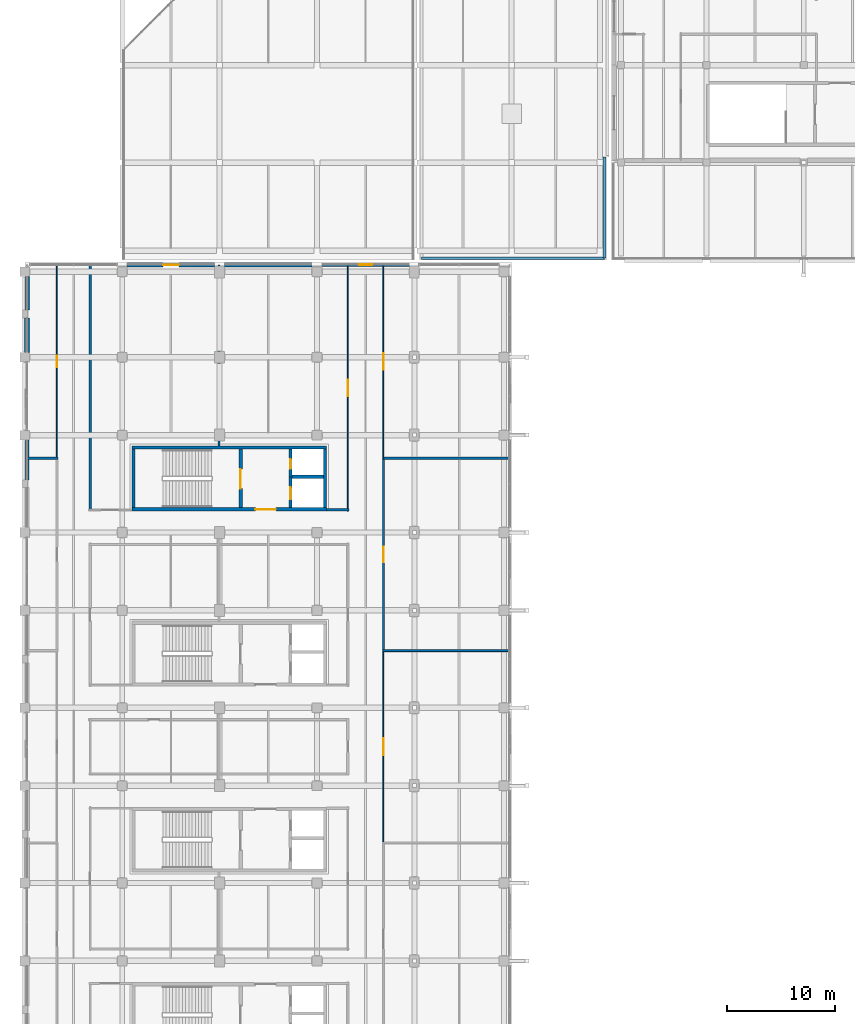
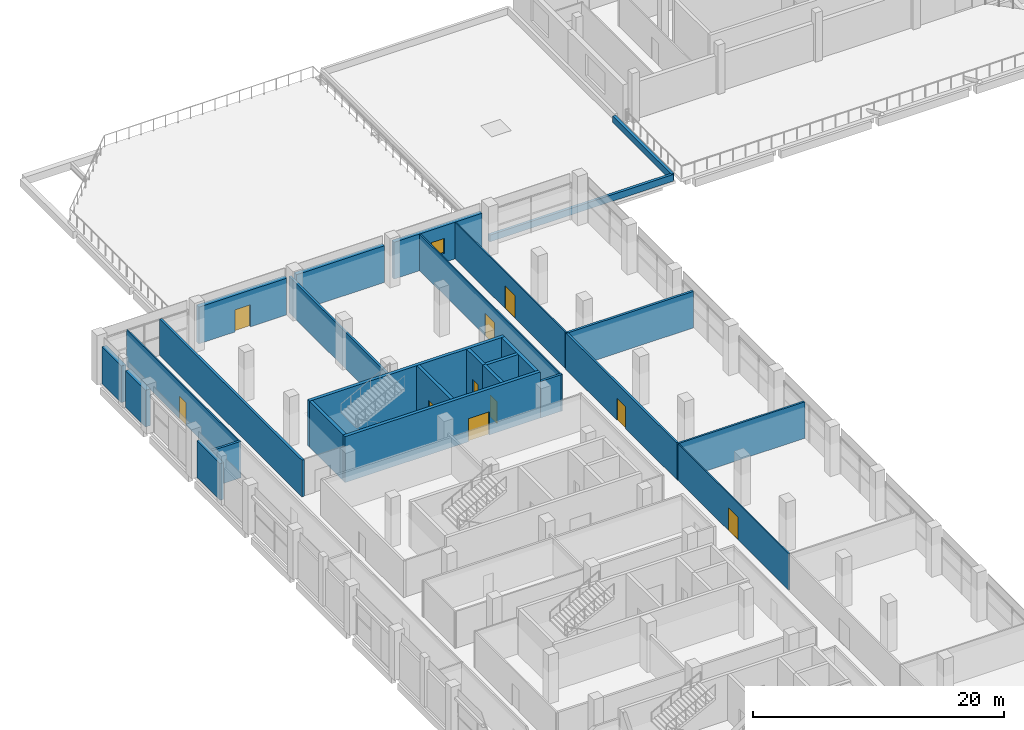
# One storey, part 51 of 82: 27 walls, 10 doors, 1 window, 11 openings.
"""IFC4 building model written with IfcOpenShell, lengths in metres."""

import ifcopenshell
import ifcopenshell.guid

model = None  # the IFC model being written
_history = None  # IfcOwnerHistory: only IFC2X3 demands one
_inside = {}  # id of a spatial element -> (the spatial element, [elements in it])
_under = {}  # id of a project, library or spatial element -> (it, [spatial elements below it])
_declared = {}  # id of a project -> (the project, [libraries it declares])
_typed = {}  # id of a type object -> (the type object, [elements of that type])
_made_of = {}  # id of a material, layer set ... -> (it, [elements and type objects made of it])


def new_model(schema):
    """Start an empty IFC model of exactly this schema.

    Asked for "IFC4X3", IfcOpenShell would pick the latest addendum, in which some entities
    have other attributes; the version numbers below select the first issue.
    IFC2X3 requires an IfcOwnerHistory on every rooted entity: one is made here for all.
    """
    global model, _history
    if schema == "IFC4X3":
        model = ifcopenshell.file(schema_version=(4, 3, 0, 0))
    else:
        model = ifcopenshell.file(schema=schema)
    _inside.clear()
    _under.clear()
    _declared.clear()
    _typed.clear()
    _made_of.clear()
    _history = None
    if model.schema == "IFC2X3":
        org = make("IfcOrganization", Name="unknown")
        user = make(
            "IfcPersonAndOrganization",
            ThePerson=make("IfcPerson", FamilyName="unknown"),
            TheOrganization=org,
        )
        app = make(
            "IfcApplication",
            ApplicationDeveloper=org,
            Version="unknown",
            ApplicationFullName="unknown",
            ApplicationIdentifier="unknown",
        )
        _history = make(
            "IfcOwnerHistory",
            OwningUser=user,
            OwningApplication=app,
            ChangeAction="ADDED",
            CreationDate=0,
        )
    return model


def make(cls, **values):
    """One entity of the class cls with the attributes given. An attribute that is None is left unset."""
    return model.create_entity(
        cls, **{name: value for name, value in values.items() if value is not None}
    )


def rooted(cls, **values):
    """An entity with a GlobalId (a new one), such as an element, a storey or a relation."""
    return make(cls, GlobalId=ifcopenshell.guid.new(), OwnerHistory=_history, **values)


def si_unit(unit_type, name, prefix=None):
    """IfcSIUnit, for example si_unit("LENGTHUNIT", "METRE", prefix="MILLI")."""
    return make("IfcSIUnit", UnitType=unit_type, Prefix=prefix, Name=name)


def assignment(units):
    """IfcUnitAssignment: the units of a project."""
    return None if units is None else make("IfcUnitAssignment", Units=units)


def point(xyz):
    """IfcCartesianPoint."""
    return None if xyz is None else make("IfcCartesianPoint", Coordinates=xyz)


def direction(xyz):
    """IfcDirection."""
    return None if xyz is None else make("IfcDirection", DirectionRatios=xyz)


def frame(location, z_axis=None, x_axis=None):
    """IfcAxis2Placement3D, a coordinate frame: its origin and axes. An axis left out is left unset."""
    return make(
        "IfcAxis2Placement3D",
        Location=point(location),
        Axis=direction(z_axis),
        RefDirection=direction(x_axis),
    )


def frame_2d(location, x_axis=None):
    """IfcAxis2Placement2D, a coordinate frame in the plane: its origin and x axis."""
    return make(
        "IfcAxis2Placement2D", Location=point(location), RefDirection=direction(x_axis)
    )


def origin():
    """The frame at (0, 0, 0) with its axes left unset."""
    return frame((0.0, 0.0, 0.0))


def place(relative_to, where):
    """IfcLocalPlacement: puts the frame where relative to a parent placement (None: the world)."""
    return make(
        "IfcLocalPlacement", PlacementRelTo=relative_to, RelativePlacement=where
    )


def context(
    kind, dimensions, precision=None, world=None, true_north=None, identifier=None
):
    """IfcGeometricRepresentationContext, for example the 3D "Model" context."""
    return make(
        "IfcGeometricRepresentationContext",
        ContextIdentifier=identifier,
        ContextType=kind,
        CoordinateSpaceDimension=dimensions,
        Precision=precision,
        WorldCoordinateSystem=world,
        TrueNorth=true_north,
    )


def subcontext(parent, identifier, kind, view, scale=None):
    """IfcGeometricRepresentationSubContext, for example "Body" below "Model"."""
    return make(
        "IfcGeometricRepresentationSubContext",
        ContextIdentifier=identifier,
        ContextType=kind,
        ParentContext=parent,
        TargetScale=scale,
        TargetView=view,
    )


def project(units=None, contexts=None):
    """IfcProject with its units and contexts."""
    return rooted(
        "IfcProject",
        Name="project",
        RepresentationContexts=contexts,
        UnitsInContext=assignment(units),
    )


def spatial(cls, under=None, at=None, **own):
    """A site, building, storey or space (cls), placed at a placement, below another one or the project."""
    s = rooted(cls, ObjectPlacement=at, **own)
    if under is not None:
        _under.setdefault(under.id(), (under, []))[1].append(s)
    return s


def profile(cls, at=None, kind="AREA", **sizes):
    """A parametric profile (cls). Its sizes go by their IFC names, for example OverallWidth=200.0."""
    return make(cls, ProfileType=kind, Position=at, **sizes)


def rectangle(**sizes):
    """IfcRectangleProfileDef."""
    return profile("IfcRectangleProfileDef", **sizes)


def extrude(swept, where, along, depth):
    """IfcExtrudedAreaSolid: the profile swept, set in the frame where, extruded along a direction by depth."""
    return make(
        "IfcExtrudedAreaSolid",
        SweptArea=swept,
        Position=where,
        ExtrudedDirection=direction(along),
        Depth=depth,
    )


def shape(context_of_items, identifier, shape_type, items):
    """IfcShapeRepresentation: the items that make up one representation, for example the "Body"."""
    return make(
        "IfcShapeRepresentation",
        ContextOfItems=context_of_items,
        RepresentationIdentifier=identifier,
        RepresentationType=shape_type,
        Items=items,
    )


def material(Name=None, Category=None):
    """IfcMaterial."""
    return make("IfcMaterial", Name=Name, Category=Category)


def layer(
    of_material, thickness, ventilated=None, Name=None, Category=None, Priority=None
):
    """IfcMaterialLayer: one layer of a wall or slab, of a material (None: an air gap)."""
    return make(
        "IfcMaterialLayer",
        Material=of_material,
        LayerThickness=thickness,
        IsVentilated=ventilated,
        Name=Name,
        Category=Category,
        Priority=Priority,
    )


def layer_set(layers, Name=None):
    """IfcMaterialLayerSet."""
    return make("IfcMaterialLayerSet", MaterialLayers=layers, LayerSetName=Name)


def made_of(thing, what):
    """Note that an element or type object is made of a material, layer set ...; save() writes the relation."""
    if what is not None:
        _made_of.setdefault(what.id(), (what, []))[1].append(thing)
    return thing


def type_object(cls, material=None, **own):
    """A type object (cls), such as IfcWallType, which elements share."""
    return made_of(rooted(cls, **own), material)


def element(
    cls,
    number,
    at=None,
    inside=None,
    cuts=None,
    type_object=None,
    material=None,
    context=None,
    identifier="Body",
    shape_type=None,
    held_by="IfcProductDefinitionShape",
    body=None,
    shapes=None,
    **own,
):
    """One element of the class cls, such as IfcWall. Its Tag is "e" and its number.

    at: its placement. inside: the storey or other place that contains it. cuts: it is an
    opening in that element (IfcRelVoidsElement). A single representation is given by context,
    identifier, shape_type and body (its items); several are given by shapes. held_by: the class
    of the entity that holds the representations. save() writes the other relations.
    """
    e = rooted(cls, Tag="e%d" % number, ObjectPlacement=at, **own)
    if body is not None:
        shapes = [shape(context, identifier, shape_type, body)]
    if shapes is not None:
        e.Representation = make(held_by, Representations=shapes)
    if inside is not None:
        _inside.setdefault(inside.id(), (inside, []))[1].append(e)
    if cuts is not None:
        rooted(
            "IfcRelVoidsElement", RelatingBuildingElement=cuts, RelatedOpeningElement=e
        )
    if type_object is not None:
        _typed.setdefault(type_object.id(), (type_object, []))[1].append(e)
    return made_of(e, material)


def fill(opening, filler):
    """IfcRelFillsElement: the door or window that sits in an opening."""
    return rooted(
        "IfcRelFillsElement",
        RelatingOpeningElement=opening,
        RelatedBuildingElement=filler,
    )


def aggregate(whole, parts):
    """IfcRelAggregates: a whole, such as a stair, and the parts it consists of."""
    return rooted("IfcRelAggregates", RelatingObject=whole, RelatedObjects=parts)


def save(model, path):
    """Write the relations noted so far, then the file.

    IfcRelAggregates (storeys below a building ...), IfcRelContainedInSpatialStructure (elements
    in a storey), IfcRelDefinesByType, IfcRelAssociatesMaterial and IfcRelDeclares: one each for
    every whole, place, type object, material and project.
    """
    for whole, parts in _under.values():
        aggregate(whole, parts)
    for where, things in _inside.values():
        rooted(
            "IfcRelContainedInSpatialStructure",
            RelatedElements=things,
            RelatingStructure=where,
        )
    for kind, things in _typed.values():
        rooted("IfcRelDefinesByType", RelatedObjects=things, RelatingType=kind)
    for what, things in _made_of.values():
        rooted("IfcRelAssociatesMaterial", RelatedObjects=things, RelatingMaterial=what)
    for by, libraries in _declared.values():
        rooted("IfcRelDeclares", RelatingContext=by, RelatedDefinitions=libraries)
    model.write(path)


model = new_model("IFC4")

# Units and contexts
model_context = context("Model", 3, precision=1e-05, world=origin(), true_north=direction((0.0, 1.0)))
body_context = subcontext(model_context, "Body", "Model", "MODEL_VIEW")
ifc_project = project(units=[si_unit("LENGTHUNIT", "METRE"), si_unit("AREAUNIT", "SQUARE_METRE"), si_unit("VOLUMEUNIT", "CUBIC_METRE"), si_unit("PLANEANGLEUNIT", "RADIAN"), si_unit("MASSUNIT", "GRAM", prefix="KILO"), si_unit("THERMODYNAMICTEMPERATUREUNIT", "KELVIN"), si_unit("POWERUNIT", "WATT")], contexts=[model_context])

# Site, building, storey
site_placement = place(None, origin())
site = spatial("IfcSite", under=ifc_project, at=site_placement, CompositionType="ELEMENT")
building_placement = place(site_placement, origin())
building = spatial("IfcBuilding", under=site, at=building_placement, Name="Sindhuravela Promenade Stadium", CompositionType="ELEMENT")
storey_placement = place(building_placement, frame((0.0, 0.0, 14.39990234375)))
storey = spatial("IfcBuildingStorey", under=building, at=storey_placement, Name="L03", CompositionType="ELEMENT", Elevation=14.39990234375)

# Wall
ifc_material_1 = material(Name="Terracotta clay brick masonry (15 MPa)", Category="masonry")
ifc_layer_1 = layer(ifc_material_1, 0.340087890625)
ifc_layer_set_1 = layer_set([ifc_layer_1], Name="Terracotta clay brick masonry (15 MPa)")
wall_type_1 = type_object("IfcWallType", Name="EX-WL-BRK340", PredefinedType="SOLIDWALL", material=ifc_layer_set_1)
wall_1_placement = place(storey_placement, frame((0.199951171875, 105.655029296875, 0.0), z_axis=(0.0, 0.0, 1.0), x_axis=(0.0, 1.0, 0.0)))
element("IfcWall", 1, at=wall_1_placement, inside=storey, type_object=wall_type_1, Name="Exterior masonry wall EW06 WEST L03", PredefinedType="SOLIDWALL", context=body_context, shape_type="SweptSolid", body=[
    extrude(rectangle(XDim=3.68994140625, YDim=0.340087890625, at=frame_2d((1.844970703125, 0.0))), origin(), (0.0, 0.0, 1.0), 3.580078125),
])

# Wall, opening, window
ifc_layer_2 = layer(ifc_material_1, 0.360107421875)
ifc_layer_set_2 = layer_set([ifc_layer_2], Name="Terracotta clay brick masonry (15 MPa)")
wall_type_2 = type_object("IfcWallType", Name="EX-WL-BRK360", PredefinedType="SOLIDWALL", material=ifc_layer_set_2)
wall_2_placement = place(storey_placement, frame((27.455078125, 125.550048828125, 0.0), z_axis=(0.0, 0.0, 1.0), x_axis=(1.0, 0.0, 0.0)))
wall_2 = element("IfcWall", 2, at=wall_2_placement, inside=storey, type_object=wall_type_2, Name="Exterior masonry wall EW05 WEST L03", PredefinedType="SOLIDWALL", context=body_context, shape_type="SweptSolid", body=[
    extrude(rectangle(XDim=8.08984375, YDim=0.360107421875, at=frame_2d((4.044921875, 0.0))), origin(), (0.0, 0.0, 1.0), 3.580078125),
])
opening_1_placement = place(wall_2_placement, frame((3.445068359375, 0.0, 0.89990234375)))
opening_1 = element("IfcOpeningElement", 3, at=opening_1_placement, cuts=wall_2, Name="Opening W02", PredefinedType="OPENING", context=body_context, shape_type="SweptSolid", body=[
    extrude(rectangle(XDim=1.199951171875, YDim=1.449951171875, at=frame_2d((0.60009765625, 0.72509765625))), frame((0.0, 0.18994140625, 0.0), z_axis=(0.0, -1.0, 0.0), x_axis=(1.0, 0.0, 0.0)), (0.0, 0.0, 1.0), 0.380126953125),
])
ifc_material_2 = material(Name="Tempered laminated low-E glass", Category="glass")
window_type = type_object("IfcWindowType", Name="WN-FAC-1200x1450", PartitioningType="SINGLE_PANEL", PredefinedType="WINDOW", material=ifc_material_2)
window_placement = place(opening_1_placement, origin())
window = element("IfcWindow", 4, at=window_placement, inside=storey, type_object=window_type, Name="Window W02 WEST L03", OverallHeight=1.449951171875, OverallWidth=1.199951171875, PartitioningType="SINGLE_PANEL", PredefinedType="WINDOW", context=body_context, shape_type="SweptSolid", body=[
    extrude(rectangle(XDim=1.199951171875, YDim=1.449951171875, at=frame_2d((0.60009765625, 0.72509765625))), frame((0.0, 0.030029296875, 0.0), z_axis=(0.0, -1.0, 0.0), x_axis=(1.0, 0.0, 0.0)), (0.0, 0.0, 1.0), 0.06005859375),
])
fill(opening_1, window)

# Wall
ifc_layer_3 = layer(ifc_material_1, 0.3798828125)
ifc_layer_set_3 = layer_set([ifc_layer_3], Name="Terracotta clay brick masonry (15 MPa)")
wall_type_3 = type_object("IfcWallType", Name="EX-WL-BRK380", PredefinedType="SOLIDWALL", material=ifc_layer_set_3)
wall_3_placement = place(storey_placement, frame((18.455078125, 125.550048828125, 0.0), z_axis=(0.0, 0.0, 1.0), x_axis=(1.0, 0.0, 0.0)))
element("IfcWall", 5, at=wall_3_placement, inside=storey, type_object=wall_type_3, Name="Exterior masonry wall EW04 WEST L03", PredefinedType="SOLIDWALL", context=body_context, shape_type="SweptSolid", body=[
    extrude(rectangle(XDim=8.08984375, YDim=0.3798828125, at=frame_2d((4.044921875, 0.0))), origin(), (0.0, 0.0, 1.0), 3.580078125),
])

# Wall, opening, door
ifc_layer_4 = layer(ifc_material_1, 0.39990234375)
ifc_layer_set_4 = layer_set([ifc_layer_4], Name="Terracotta clay brick masonry (15 MPa)")
wall_type_4 = type_object("IfcWallType", Name="EX-WL-BRK400", PredefinedType="SOLIDWALL", material=ifc_layer_set_4)
wall_4_placement = place(storey_placement, frame((9.455078125, 125.550048828125, 0.0), z_axis=(0.0, 0.0, 1.0), x_axis=(1.0, 0.0, 0.0)))
wall_4 = element("IfcWall", 6, at=wall_4_placement, inside=storey, type_object=wall_type_4, Name="Exterior masonry wall EW03 WEST L03", PredefinedType="SOLIDWALL", context=body_context, shape_type="SweptSolid", body=[
    extrude(rectangle(XDim=8.08984375, YDim=0.39990234375, at=frame_2d((4.044921875, 0.0))), origin(), (0.0, 0.0, 1.0), 3.580078125),
])
opening_2_placement = place(wall_4_placement, frame((3.320068359375, 0.0, 0.0)))
opening_2 = element("IfcOpeningElement", 7, at=opening_2_placement, cuts=wall_4, Name="Opening TD04", PredefinedType="OPENING", context=body_context, shape_type="SweptSolid", body=[
    extrude(rectangle(XDim=1.449951171875, YDim=2.14990234375, at=frame_2d((0.72509765625, 1.074951171875))), frame((0.0, 0.2099609375, 0.0), z_axis=(0.0, -1.0, 0.0), x_axis=(1.0, 0.0, 0.0)), (0.0, 0.0, 1.0), 0.419921875),
])
ifc_material_3 = material(Name="Anodised architectural aluminium 6063-T6", Category="aluminium")
door_type_1 = type_object("IfcDoorType", Name="DR-TER-1450x2150", OperationType="DOUBLE_DOOR_SINGLE_SWING", PredefinedType="DOOR", material=ifc_material_3)
door_1_placement = place(opening_2_placement, origin())
door_1 = element("IfcDoor", 8, at=door_1_placement, inside=storey, type_object=door_type_1, Name="Terrace access door NW Gate Pavilion Planted Roof Garden", OperationType="DOUBLE_DOOR_SINGLE_SWING", OverallHeight=2.14990234375, OverallWidth=1.449951171875, PredefinedType="DOOR", context=body_context, shape_type="SweptSolid", body=[
    extrude(rectangle(XDim=1.449951171875, YDim=2.14990234375, at=frame_2d((0.72509765625, 1.074951171875))), frame((0.0, 0.02490234375, 0.0), z_axis=(0.0, -1.0, 0.0), x_axis=(1.0, 0.0, 0.0)), (0.0, 0.0, 1.0), 0.050048828125),
])
fill(opening_2, door_1)

# Walls
ifc_layer_5 = layer(ifc_material_1, 0.419921875)
ifc_layer_set_5 = layer_set([ifc_layer_5], Name="Terracotta clay brick masonry (15 MPa)")
wall_type_5 = type_object("IfcWallType", Name="EX-WL-BRK420", PredefinedType="SOLIDWALL", material=ifc_layer_set_5)
wall_5_placement = place(storey_placement, frame((0.199951171875, 121.35498046875, 0.0), z_axis=(0.0, 0.0, 1.0), x_axis=(0.0, 1.0, 0.0)))
element("IfcWall", 9, at=wall_5_placement, inside=storey, type_object=wall_type_5, Name="Exterior masonry wall EW02 WEST L03", PredefinedType="SOLIDWALL", context=body_context, shape_type="SweptSolid", body=[
    extrude(rectangle(XDim=3.090087890625, YDim=0.419921875, at=frame_2d((1.544921875, 0.0))), origin(), (0.0, 0.0, 1.0), 3.580078125),
])
ifc_layer_6 = layer(ifc_material_1, 0.4599609375)
ifc_layer_set_6 = layer_set([ifc_layer_6], Name="Terracotta clay brick masonry (15 MPa)")
wall_type_6 = type_object("IfcWallType", Name="EX-WL-BRK460", PredefinedType="SOLIDWALL", material=ifc_layer_set_6)
wall_6_placement = place(storey_placement, frame((0.199951171875, 117.455078125, 0.0), z_axis=(0.0, 0.0, 1.0), x_axis=(0.0, 1.0, 0.0)))
element("IfcWall", 10, at=wall_6_placement, inside=storey, type_object=wall_type_6, Name="Exterior masonry wall EW01 WEST L03", PredefinedType="SOLIDWALL", context=body_context, shape_type="SweptSolid", body=[
    extrude(rectangle(XDim=3.18994140625, YDim=0.4599609375, at=frame_2d((1.594970703125, 0.0))), origin(), (0.0, 0.0, 1.0), 3.580078125),
])
ifc_material_4 = material(Name="Dholpur sandstone ashlar (45 MPa)", Category="masonry")
ifc_layer_7 = layer(ifc_material_4, 0.25)
ifc_layer_set_7 = layer_set([ifc_layer_7], Name="Dholpur sandstone ashlar (45 MPa)")
wall_type_7 = type_object("IfcWallType", Name="EX-WL-PAR250", PredefinedType="PARAPET", material=ifc_layer_set_7)
wall_7_placement = place(storey_placement, frame((53.590087890625, 126.159912109375, 0.0), z_axis=(0.0, 0.0, 1.0), x_axis=(-1.0, 0.0, 0.0)))
element("IfcWall", 11, at=wall_7_placement, inside=storey, type_object=wall_type_7, Name="Maintenance roof parapet Pavilion NW 27", PredefinedType="PARAPET", context=body_context, shape_type="SweptSolid", body=[
    extrude(rectangle(XDim=16.93017578125, YDim=0.25, at=frame_2d((8.465087890625, 0.0))), origin(), (0.0, 0.0, 1.0), 0.650146484375),
])
ifc_layer_8 = layer(ifc_material_1, 0.27001953125)
ifc_layer_set_8 = layer_set([ifc_layer_8], Name="Terracotta clay brick masonry (15 MPa)")
wall_type_8 = type_object("IfcWallType", Name="EX-WL-PAR270", PredefinedType="PARAPET", material=ifc_layer_set_8)
wall_8_placement = place(storey_placement, frame((53.590087890625, 135.5, 0.0), z_axis=(0.0, 0.0, 1.0), x_axis=(0.0, -1.0, 0.0)))
element("IfcWall", 12, at=wall_8_placement, inside=storey, type_object=wall_type_8, Name="Maintenance roof parapet Pavilion NW 26", PredefinedType="PARAPET", context=body_context, shape_type="SweptSolid", body=[
    extrude(rectangle(XDim=9.340087890625, YDim=0.27001953125, at=frame_2d((4.669921875, 0.0))), origin(), (0.0, 0.0, 1.0), 0.650146484375),
])

# Wall, opening, door
ifc_material_5 = material(Name="Fire-rated gypsum partition board", Category="gypsum")
ifc_layer_9 = layer(ifc_material_5, 0.110107421875)
ifc_layer_set_9 = layer_set([ifc_layer_9], Name="Fire-rated gypsum partition board")
wall_type_9 = type_object("IfcWallType", Name="IN-WL-PAR110", PredefinedType="PARTITIONING", material=ifc_layer_set_9)
wall_9_placement = place(storey_placement, frame((29.860107421875, 102.77001953125, 0.0), z_axis=(0.0, 0.0, 1.0), x_axis=(0.0, 1.0, 0.0)))
wall_9 = element("IfcWall", 13, at=wall_9_placement, inside=storey, type_object=wall_type_9, Name="Corridor partition IW06 Executive Hospitality Suite W01", PredefinedType="PARTITIONING", context=body_context, shape_type="SweptSolid", body=[
    extrude(rectangle(XDim=22.780029296875, YDim=0.110107421875, at=frame_2d((11.39013671875, 0.0))), origin(), (0.0, 0.0, 1.0), 3.56005859375),
])
opening_3_placement = place(wall_9_placement, frame((10.614990234375, 0.0, 0.0)))
opening_3 = element("IfcOpeningElement", 14, at=opening_3_placement, cuts=wall_9, Name="Opening ID02", PredefinedType="OPENING", context=body_context, shape_type="SweptSolid", body=[
    extrude(rectangle(XDim=1.550048828125, YDim=2.199951171875, at=frame_2d((0.77490234375, 1.10009765625))), frame((0.0, 0.06494140625, 0.0), z_axis=(0.0, -1.0, 0.0), x_axis=(1.0, 0.0, 0.0)), (0.0, 0.0, 1.0), 0.130126953125),
])
ifc_material_6 = material(Name="Architectural teak timber leaf", Category="wood")
door_type_2 = type_object("IfcDoorType", Name="DR-INT-1550x2200", OperationType="DOUBLE_DOOR_SINGLE_SWING", PredefinedType="DOOR", material=ifc_material_6)
door_2_placement = place(opening_3_placement, origin())
door_2 = element("IfcDoor", 15, at=door_2_placement, inside=storey, type_object=door_type_2, Name="Executive Hospitality Suite W01 door", OperationType="DOUBLE_DOOR_SINGLE_SWING", OverallHeight=2.199951171875, OverallWidth=1.550048828125, PredefinedType="DOOR", context=body_context, shape_type="SweptSolid", body=[
    extrude(rectangle(XDim=1.550048828125, YDim=2.199951171875, at=frame_2d((0.77490234375, 1.10009765625))), frame((0.0, 0.02490234375, 0.0), z_axis=(0.0, -1.0, 0.0), x_axis=(1.0, 0.0, 0.0)), (0.0, 0.0, 1.0), 0.050048828125),
])
fill(opening_3, door_2)

wall_10_placement = place(storey_placement, frame((33.139892578125, 125.550048828125, 0.0), z_axis=(0.0, 0.0, 1.0), x_axis=(0.0, -1.0, 0.0)))
wall_10 = element("IfcWall", 16, at=wall_10_placement, inside=storey, type_object=wall_type_9, Name="Corridor partition IW06 Executive Hospitality Suite W04", PredefinedType="PARTITIONING", context=body_context, shape_type="SweptSolid", body=[
    extrude(rectangle(XDim=17.89208984375, YDim=0.110107421875, at=frame_2d((8.946044921875, 0.0))), origin(), (0.0, 0.0, 1.0), 3.56005859375),
])
opening_4_placement = place(wall_10_placement, frame((8.1708984375, 0.0, 0.0)))
opening_4 = element("IfcOpeningElement", 17, at=opening_4_placement, cuts=wall_10, Name="Opening ID02", PredefinedType="OPENING", context=body_context, shape_type="SweptSolid", body=[
    extrude(rectangle(XDim=1.550048828125, YDim=2.199951171875, at=frame_2d((0.77490234375, 1.10009765625))), frame((0.0, 0.06494140625, 0.0), z_axis=(0.0, -1.0, 0.0), x_axis=(1.0, 0.0, 0.0)), (0.0, 0.0, 1.0), 0.130126953125),
])
door_3_placement = place(opening_4_placement, origin())
door_3 = element("IfcDoor", 18, at=door_3_placement, inside=storey, type_object=door_type_2, Name="Executive Hospitality Suite W04 door", OperationType="DOUBLE_DOOR_SINGLE_SWING", OverallHeight=2.199951171875, OverallWidth=1.550048828125, PredefinedType="DOOR", context=body_context, shape_type="SweptSolid", body=[
    extrude(rectangle(XDim=1.550048828125, YDim=2.199951171875, at=frame_2d((0.77490234375, 1.10009765625))), frame((0.0, 0.02490234375, 0.0), z_axis=(0.0, -1.0, 0.0), x_axis=(1.0, 0.0, 0.0)), (0.0, 0.0, 1.0), 0.050048828125),
])
fill(opening_4, door_3)

wall_11_placement = place(storey_placement, frame((33.139892578125, 89.885986328125, 0.0), z_axis=(0.0, 0.0, 1.0), x_axis=(0.0, -1.0, 0.0)))
wall_11 = element("IfcWall", 19, at=wall_11_placement, inside=storey, type_object=wall_type_9, Name="Corridor partition IW06 Hospitality Toilet Suite West L03", PredefinedType="PARTITIONING", context=body_context, shape_type="SweptSolid", body=[
    extrude(rectangle(XDim=17.77197265625, YDim=0.110107421875, at=frame_2d((8.885986328125, 0.0))), origin(), (0.0, 0.0, 1.0), 3.56005859375),
])
opening_5_placement = place(wall_11_placement, frame((8.111083984375, 0.0, 0.0)))
opening_5 = element("IfcOpeningElement", 20, at=opening_5_placement, cuts=wall_11, Name="Opening ID02", PredefinedType="OPENING", context=body_context, shape_type="SweptSolid", body=[
    extrude(rectangle(XDim=1.550048828125, YDim=2.199951171875, at=frame_2d((0.77490234375, 1.10009765625))), frame((0.0, 0.06494140625, 0.0), z_axis=(0.0, -1.0, 0.0), x_axis=(1.0, 0.0, 0.0)), (0.0, 0.0, 1.0), 0.130126953125),
])
door_4_placement = place(opening_5_placement, origin())
door_4 = element("IfcDoor", 21, at=door_4_placement, inside=storey, type_object=door_type_2, Name="Hospitality Toilet Suite West L03 door", OperationType="DOUBLE_DOOR_SINGLE_SWING", OverallHeight=2.199951171875, OverallWidth=1.550048828125, PredefinedType="DOOR", context=body_context, shape_type="SweptSolid", body=[
    extrude(rectangle(XDim=1.550048828125, YDim=2.199951171875, at=frame_2d((0.77490234375, 1.10009765625))), frame((0.0, 0.02490234375, 0.0), z_axis=(0.0, -1.0, 0.0), x_axis=(1.0, 0.0, 0.0)), (0.0, 0.0, 1.0), 0.050048828125),
])
fill(opening_5, door_4)

wall_12_placement = place(storey_placement, frame((2.9599609375, 107.657958984375, 0.0), z_axis=(0.0, 0.0, 1.0), x_axis=(0.0, 1.0, 0.0)))
wall_12 = element("IfcWall", 22, at=wall_12_placement, inside=storey, type_object=wall_type_9, Name="Corridor partition IW06 Hospitality Toilet Suite West L03 9", PredefinedType="PARTITIONING", context=body_context, shape_type="SweptSolid", body=[
    extrude(rectangle(XDim=17.89208984375, YDim=0.110107421875, at=frame_2d((8.946044921875, 0.0))), origin(), (0.0, 0.0, 1.0), 3.56005859375),
])
opening_6_placement = place(wall_12_placement, frame((8.406005859375, 0.0, 0.0)))
opening_6 = element("IfcOpeningElement", 23, at=opening_6_placement, cuts=wall_12, Name="Opening ID12", PredefinedType="OPENING", context=body_context, shape_type="SweptSolid", body=[
    extrude(rectangle(XDim=1.080078125, YDim=2.179931640625, at=frame_2d((0.5400390625, 1.08984375))), frame((0.0, 0.06494140625, 0.0), z_axis=(0.0, -1.0, 0.0), x_axis=(1.0, 0.0, 0.0)), (0.0, 0.0, 1.0), 0.130126953125),
])
door_type_3 = type_object("IfcDoorType", Name="DR-INT-1080x2180", OperationType="NOTDEFINED", PredefinedType="DOOR", material=ifc_material_6)
door_5_placement = place(opening_6_placement, origin())
door_5 = element("IfcDoor", 24, at=door_5_placement, inside=storey, type_object=door_type_3, Name="Hospitality Toilet Suite West L03 9 door", OperationType="SINGLE_SWING_RIGHT", OverallHeight=2.179931640625, OverallWidth=1.080078125, PredefinedType="DOOR", context=body_context, shape_type="SweptSolid", body=[
    extrude(rectangle(XDim=1.080078125, YDim=2.179931640625, at=frame_2d((0.5400390625, 1.08984375))), frame((0.0, 0.02490234375, 0.0), z_axis=(0.0, -1.0, 0.0), x_axis=(1.0, 0.0, 0.0)), (0.0, 0.0, 1.0), 0.050048828125),
])
fill(opening_6, door_5)

# Walls
ifc_layer_10 = layer(ifc_material_5, 0.175048828125)
ifc_layer_set_10 = layer_set([ifc_layer_10], Name="Fire-rated gypsum partition board")
wall_type_10 = type_object("IfcWallType", Name="IN-WL-PAR175", PredefinedType="PARTITIONING", material=ifc_layer_set_10)
wall_13_placement = place(storey_placement, frame((44.76708984375, 89.885986328125, 0.0), z_axis=(0.0, 0.0, 1.0), x_axis=(-1.0, 0.0, 0.0)))
element("IfcWall", 25, at=wall_13_placement, inside=storey, type_object=wall_type_10, Name="Interior partition IW03 WEST L03", PredefinedType="PARTITIONING", context=body_context, shape_type="SweptSolid", body=[
    extrude(rectangle(XDim=11.70703125, YDim=0.175048828125, at=frame_2d((5.853515625, 0.0))), origin(), (0.0, 0.0, 1.0), 3.56005859375),
])
ifc_layer_11 = layer(ifc_material_5, 0.195068359375)
ifc_layer_set_11 = layer_set([ifc_layer_11], Name="Fire-rated gypsum partition board")
wall_type_11 = type_object("IfcWallType", Name="IN-WL-PAR195", PredefinedType="PARTITIONING", material=ifc_layer_set_11)
wall_14_placement = place(storey_placement, frame((17.949951171875, 125.510009765625, 0.0), z_axis=(0.0, 0.0, 1.0), x_axis=(0.0, -1.0, 0.0)))
element("IfcWall", 26, at=wall_14_placement, inside=storey, type_object=wall_type_11, Name="Interior partition IW02 WEST L03", PredefinedType="PARTITIONING", context=body_context, shape_type="SweptSolid", body=[
    extrude(rectangle(XDim=16.7080078125, YDim=0.195068359375, at=frame_2d((8.35400390625, 0.0))), origin(), (0.0, 0.0, 1.0), 3.56005859375),
])

# Wall, opening, door
wall_15_placement = place(storey_placement, frame((33.139892578125, 107.657958984375, 0.0), z_axis=(0.0, 0.0, 1.0), x_axis=(0.0, -1.0, 0.0)))
wall_15 = element("IfcWall", 27, at=wall_15_placement, inside=storey, type_object=wall_type_11, Name="Corridor partition IW02 Banquet Production Kitchen", PredefinedType="PARTITIONING", context=body_context, shape_type="SweptSolid", body=[
    extrude(rectangle(XDim=17.77197265625, YDim=0.195068359375, at=frame_2d((8.885986328125, 0.0))), origin(), (0.0, 0.0, 1.0), 3.56005859375),
])
opening_7_placement = place(wall_15_placement, frame((8.18603515625, 0.0, 0.0)))
opening_7 = element("IfcOpeningElement", 28, at=opening_7_placement, cuts=wall_15, Name="Opening ID03", PredefinedType="OPENING", context=body_context, shape_type="SweptSolid", body=[
    extrude(rectangle(XDim=1.39990234375, YDim=2.14990234375, at=frame_2d((0.699951171875, 1.074951171875))), frame((0.0, 0.107421875, 0.0), z_axis=(0.0, -1.0, 0.0), x_axis=(1.0, 0.0, 0.0)), (0.0, 0.0, 1.0), 0.215087890625),
])
door_type_4 = type_object("IfcDoorType", Name="DR-INT-1400x2150", OperationType="DOUBLE_DOOR_SINGLE_SWING", PredefinedType="DOOR", material=ifc_material_6)
door_6_placement = place(opening_7_placement, origin())
door_6 = element("IfcDoor", 29, at=door_6_placement, inside=storey, type_object=door_type_4, Name="Banquet Production Kitchen door", OperationType="DOUBLE_DOOR_SINGLE_SWING", OverallHeight=2.14990234375, OverallWidth=1.39990234375, PredefinedType="DOOR", context=body_context, shape_type="SweptSolid", body=[
    extrude(rectangle(XDim=1.39990234375, YDim=2.14990234375, at=frame_2d((0.699951171875, 1.074951171875))), frame((0.0, 0.02490234375, 0.0), z_axis=(0.0, -1.0, 0.0), x_axis=(1.0, 0.0, 0.0)), (0.0, 0.0, 1.0), 0.050048828125),
])
fill(opening_7, door_6)

# Walls
ifc_layer_12 = layer(ifc_material_5, 0.219970703125)
ifc_layer_set_12 = layer_set([ifc_layer_12], Name="Fire-rated gypsum partition board")
wall_type_12 = type_object("IfcWallType", Name="IN-WL-PAR220", PredefinedType="PARTITIONING", material=ifc_layer_set_12)
wall_16_placement = place(storey_placement, frame((6.0400390625, 102.81005859375, 0.0), z_axis=(0.0, 0.0, 1.0), x_axis=(0.0, 1.0, 0.0)))
element("IfcWall", 30, at=wall_16_placement, inside=storey, type_object=wall_type_12, Name="Interior partition IW01 WEST L03", PredefinedType="PARTITIONING", context=body_context, shape_type="SweptSolid", body=[
    extrude(rectangle(XDim=22.70703125, YDim=0.219970703125, at=frame_2d((11.353515625, 0.0))), origin(), (0.0, 0.0, 1.0), 3.56005859375),
])
wall_17_placement = place(storey_placement, frame((29.93994140625, 102.889892578125, 0.0), z_axis=(0.0, 0.0, 1.0), x_axis=(-1.0, 0.0, 0.0)))
element("IfcWall", 31, at=wall_17_placement, inside=storey, type_object=wall_type_12, Name="Interior partition IW01 WEST L03", PredefinedType="PARTITIONING", context=body_context, shape_type="SweptSolid", body=[
    extrude(rectangle(XDim=2.037841796875, YDim=0.219970703125, at=frame_2d((1.01904296875, 0.0))), origin(), (0.0, 0.0, 1.0), 3.56005859375),
])
wall_18_placement = place(storey_placement, frame((44.76708984375, 107.657958984375, 0.0), z_axis=(0.0, 0.0, 1.0), x_axis=(-1.0, 0.0, 0.0)))
element("IfcWall", 32, at=wall_18_placement, inside=storey, type_object=wall_type_12, Name="Interior partition IW01 WEST L03", PredefinedType="PARTITIONING", context=body_context, shape_type="SweptSolid", body=[
    extrude(rectangle(XDim=11.70703125, YDim=0.219970703125, at=frame_2d((5.853515625, 0.0))), origin(), (0.0, 0.0, 1.0), 3.56005859375),
])
wall_19_placement = place(storey_placement, frame((3.0400390625, 107.657958984375, 0.0), z_axis=(0.0, 0.0, 1.0), x_axis=(-1.0, 0.0, 0.0)))
element("IfcWall", 33, at=wall_19_placement, inside=storey, type_object=wall_type_12, Name="Interior partition IW01 WEST L03", PredefinedType="PARTITIONING", context=body_context, shape_type="SweptSolid", body=[
    extrude(rectangle(XDim=2.800048828125, YDim=0.219970703125, at=frame_2d((1.39990234375, 0.0))), origin(), (0.0, 0.0, 1.0), 3.56005859375),
])

# Wall, opening, door
ifc_material_7 = material(Name="Concrete M50", Category="concrete")
ifc_layer_13 = layer(ifc_material_7, 0.300048828125)
ifc_layer_set_13 = layer_set([ifc_layer_13], Name="Concrete M50")
wall_type_13 = type_object("IfcWallType", Name="RC-SW-300", PredefinedType="SHEAR", material=ifc_layer_set_13)
wall_20_placement = place(storey_placement, frame((9.89990234375, 102.949951171875, 0.0), z_axis=(0.0, 0.0, 1.0), x_axis=(1.0, 0.0, 0.0)))
wall_20 = element("IfcWall", 34, at=wall_20_placement, inside=storey, type_object=wall_type_13, Name="Core shear wall C04-S (L03)", PredefinedType="SHEAR", context=body_context, shape_type="SweptSolid", body=[
    extrude(rectangle(XDim=18.0, YDim=0.300048828125, at=frame_2d((9.0, 0.0))), origin(), (0.0, 0.0, 1.0), 4.47998046875),
])
opening_8_placement = place(wall_20_placement, frame((11.39990234375, 0.0, 0.0)))
opening_8 = element("IfcOpeningElement", 35, at=opening_8_placement, cuts=wall_20, Name="Opening FD02", PredefinedType="OPENING", context=body_context, shape_type="SweptSolid", body=[
    extrude(rectangle(XDim=1.89990234375, YDim=2.25, at=frame_2d((0.949951171875, 1.125))), frame((0.0, 0.159912109375, 0.0), z_axis=(0.0, -1.0, 0.0), x_axis=(1.0, 0.0, 0.0)), (0.0, 0.0, 1.0), 0.320068359375),
])
ifc_material_8 = material(Name="Architectural wrought steel E350", Category="steel")
door_type_5 = type_object("IfcDoorType", Name="DR-LOB-1900x2250", OperationType="DOUBLE_DOOR_SINGLE_SWING", PredefinedType="DOOR", material=ifc_material_8)
door_7_placement = place(opening_8_placement, origin())
door_7 = element("IfcDoor", 36, at=door_7_placement, inside=storey, type_object=door_type_5, Name="Protected lobby entrance door C04 (L03)", OperationType="DOUBLE_DOOR_SINGLE_SWING", OverallHeight=2.25, OverallWidth=1.89990234375, PredefinedType="DOOR", context=body_context, shape_type="SweptSolid", body=[
    extrude(rectangle(XDim=1.89990234375, YDim=2.25, at=frame_2d((0.949951171875, 1.125))), frame((0.0, 0.02490234375, 0.0), z_axis=(0.0, -1.0, 0.0), x_axis=(1.0, 0.0, 0.0)), (0.0, 0.0, 1.0), 0.050048828125),
])
fill(opening_8, door_7)

# Walls
wall_21_placement = place(storey_placement, frame((27.89990234375, 108.64990234375, 0.0), z_axis=(0.0, 0.0, 1.0), x_axis=(-1.0, 0.0, 0.0)))
element("IfcWall", 37, at=wall_21_placement, inside=storey, type_object=wall_type_13, Name="Core shear wall C04-N (L03)", PredefinedType="SHEAR", context=body_context, shape_type="SweptSolid", body=[
    extrude(rectangle(XDim=18.0, YDim=0.300048828125, at=frame_2d((9.0, 0.0))), origin(), (0.0, 0.0, 1.0), 4.47998046875),
])
for number, where, z_axis, x_axis, name in (
    (38, (10.050048828125, 108.5, 0.0), (0.0, 0.0, 1.0), (0.0, -1.0, 0.0), "Core shear wall C04-W (L03)"),
    (39, (27.75, 103.10009765625, 0.0), (0.0, 0.0, 1.0), (0.0, 1.0, 0.0), "Core shear wall C04-E (L03)"),
):
    element("IfcWall", number, at=place(storey_placement, frame(where, z_axis=z_axis, x_axis=x_axis)), inside=storey, type_object=wall_type_13, Name=name, PredefinedType="SHEAR", context=body_context, shape_type="SweptSolid", body=[
        extrude(rectangle(XDim=5.39990234375, YDim=0.300048828125, at=frame_2d((2.699951171875, 0.0))), origin(), (0.0, 0.0, 1.0), 4.47998046875),
    ])

# Wall, opening, door
wall_22_placement = place(storey_placement, frame((19.949951171875, 103.10009765625, 0.0), z_axis=(0.0, 0.0, 1.0), x_axis=(0.0, 1.0, 0.0)))
wall_22 = element("IfcWall", 40, at=wall_22_placement, inside=storey, type_object=wall_type_13, Name="Core shear wall C04-ST (L03)", PredefinedType="SHEAR", context=body_context, shape_type="SweptSolid", body=[
    extrude(rectangle(XDim=5.39990234375, YDim=0.300048828125, at=frame_2d((2.699951171875, 0.0))), origin(), (0.0, 0.0, 1.0), 4.47998046875),
])
opening_9_placement = place(wall_22_placement, frame((1.75, 0.0, 0.0)))
opening_9 = element("IfcOpeningElement", 41, at=opening_9_placement, cuts=wall_22, Name="Opening FD01", PredefinedType="OPENING", context=body_context, shape_type="SweptSolid", body=[
    extrude(rectangle(XDim=1.800048828125, YDim=2.25, at=frame_2d((0.89990234375, 1.125))), frame((0.0, 0.159912109375, 0.0), z_axis=(0.0, -1.0, 0.0), x_axis=(1.0, 0.0, 0.0)), (0.0, 0.0, 1.0), 0.320068359375),
])
door_type_6 = type_object("IfcDoorType", Name="DR-CORE-1800x2250", OperationType="DOUBLE_DOOR_SINGLE_SWING", PredefinedType="DOOR", material=ifc_material_8)
door_8_placement = place(opening_9_placement, origin())
door_8 = element("IfcDoor", 42, at=door_8_placement, inside=storey, type_object=door_type_6, Name="Stair ST04 lobby fire door (L03)", OperationType="DOUBLE_DOOR_SINGLE_SWING", OverallHeight=2.25, OverallWidth=1.800048828125, PredefinedType="DOOR", context=body_context, shape_type="SweptSolid", body=[
    extrude(rectangle(XDim=1.800048828125, YDim=2.25, at=frame_2d((0.89990234375, 1.125))), frame((0.0, 0.02490234375, 0.0), z_axis=(0.0, -1.0, 0.0), x_axis=(1.0, 0.0, 0.0)), (0.0, 0.0, 1.0), 0.050048828125),
])
fill(opening_9, door_8)

wall_23_placement = place(storey_placement, frame((24.550048828125, 103.10009765625, 0.0), z_axis=(0.0, 0.0, 1.0), x_axis=(0.0, 1.0, 0.0)))
wall_23 = element("IfcWall", 43, at=wall_23_placement, inside=storey, type_object=wall_type_13, Name="Core shear wall C04-LFT (L03)", PredefinedType="SHEAR", context=body_context, shape_type="SweptSolid", body=[
    extrude(rectangle(XDim=2.849853515625, YDim=0.300048828125, at=frame_2d((1.4248046875, 0.0))), origin(), (0.0, 0.0, 1.0), 4.47998046875),
])
opening_10_placement = place(wall_23_placement, frame((0.77490234375, 0.0, 0.0)))
opening_10 = element("IfcOpeningElement", 44, at=opening_10_placement, cuts=wall_23, Name="Opening LD", PredefinedType="OPENING", context=body_context, shape_type="SweptSolid", body=[
    extrude(rectangle(XDim=1.10009765625, YDim=2.10009765625, at=frame_2d((0.550048828125, 1.050048828125))), frame((0.0, 0.159912109375, 0.0), z_axis=(0.0, -1.0, 0.0), x_axis=(1.0, 0.0, 0.0)), (0.0, 0.0, 1.0), 0.320068359375),
])
door_type_7 = type_object("IfcDoorType", Name="DR-LFT-1100x2100", OperationType="DOUBLE_DOOR_SLIDING", PredefinedType="DOOR", material=ifc_material_8)
door_9_placement = place(opening_10_placement, origin())
door_9 = element("IfcDoor", 45, at=door_9_placement, inside=storey, type_object=door_type_7, Name="Lift FL04 landing door (L03)", OperationType="DOUBLE_DOOR_SLIDING", OverallHeight=2.10009765625, OverallWidth=1.10009765625, PredefinedType="DOOR", context=body_context, shape_type="SweptSolid", body=[
    extrude(rectangle(XDim=1.10009765625, YDim=2.10009765625, at=frame_2d((0.550048828125, 1.050048828125))), frame((0.0, 0.02490234375, 0.0), z_axis=(0.0, -1.0, 0.0), x_axis=(1.0, 0.0, 0.0)), (0.0, 0.0, 1.0), 0.050048828125),
])
fill(opening_10, door_9)

wall_24_placement = place(storey_placement, frame((24.550048828125, 105.949951171875, 0.0), z_axis=(0.0, 0.0, 1.0), x_axis=(0.0, 1.0, 0.0)))
wall_24 = element("IfcWall", 46, at=wall_24_placement, inside=storey, type_object=wall_type_13, Name="Core shear wall C04-RSR (L03)", PredefinedType="SHEAR", context=body_context, shape_type="SweptSolid", body=[
    extrude(rectangle(XDim=2.550048828125, YDim=0.300048828125, at=frame_2d((1.27490234375, 0.0))), origin(), (0.0, 0.0, 1.0), 4.47998046875),
])
opening_11_placement = place(wall_24_placement, frame((0.72509765625, 0.0, 0.0)))
opening_11 = element("IfcOpeningElement", 47, at=opening_11_placement, cuts=wall_24, Name="Opening FD03", PredefinedType="OPENING", context=body_context, shape_type="SweptSolid", body=[
    extrude(rectangle(XDim=0.89990234375, YDim=2.10009765625, at=frame_2d((0.449951171875, 1.050048828125))), frame((0.0, 0.159912109375, 0.0), z_axis=(0.0, -1.0, 0.0), x_axis=(1.0, 0.0, 0.0)), (0.0, 0.0, 1.0), 0.320068359375),
])
door_type_8 = type_object("IfcDoorType", Name="DR-RSR-900x2100", OperationType="NOTDEFINED", PredefinedType="DOOR", material=ifc_material_8)
door_10_placement = place(opening_11_placement, origin())
door_10 = element("IfcDoor", 48, at=door_10_placement, inside=storey, type_object=door_type_8, Name="Riser shaft access door C04 (L03)", OperationType="SINGLE_SWING_RIGHT", OverallHeight=2.10009765625, OverallWidth=0.89990234375, PredefinedType="DOOR", context=body_context, shape_type="SweptSolid", body=[
    extrude(rectangle(XDim=0.89990234375, YDim=2.10009765625, at=frame_2d((0.449951171875, 1.050048828125))), frame((0.0, 0.02490234375, 0.0), z_axis=(0.0, -1.0, 0.0), x_axis=(1.0, 0.0, 0.0)), (0.0, 0.0, 1.0), 0.050048828125),
])
fill(opening_11, door_10)

# Wall
wall_25_placement = place(storey_placement, frame((24.699951171875, 105.949951171875, 0.0), z_axis=(0.0, 0.0, 1.0), x_axis=(1.0, 0.0, 0.0)))
element("IfcWall", 49, at=wall_25_placement, inside=storey, type_object=wall_type_13, Name="Core shear wall C04-DIV (L03)", PredefinedType="SHEAR", context=body_context, shape_type="SweptSolid", body=[
    extrude(rectangle(XDim=2.900146484375, YDim=0.300048828125, at=frame_2d((1.4501953125, 0.0))), origin(), (0.0, 0.0, 1.0), 4.47998046875),
])

save(model, "model.ifc")
